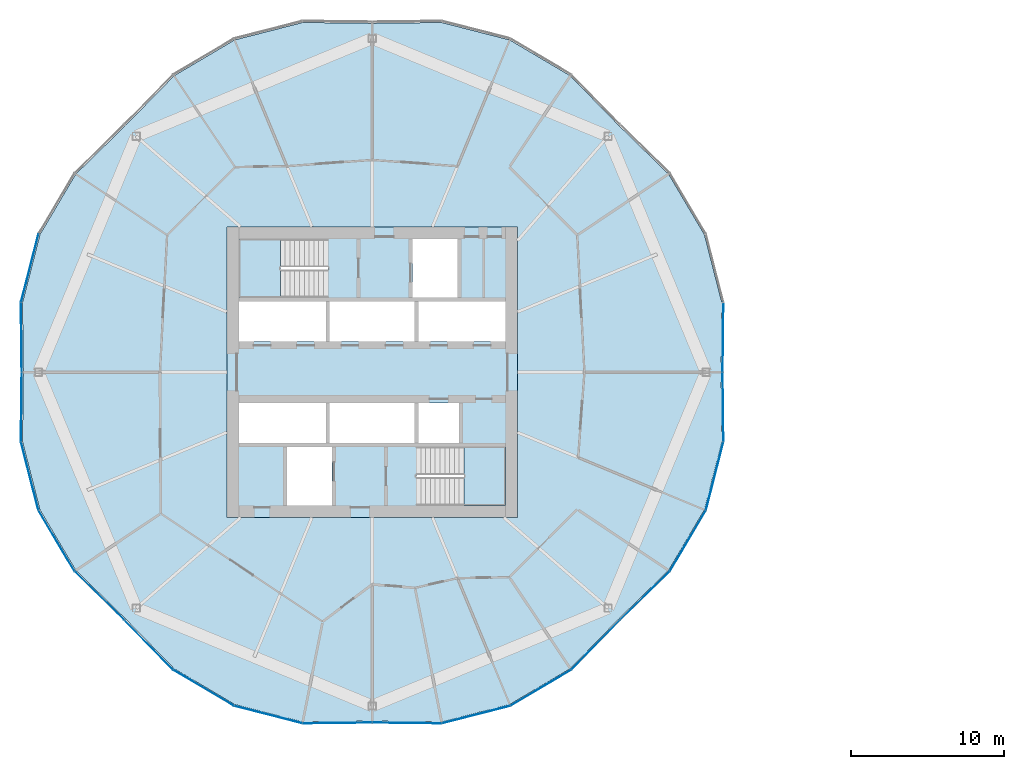
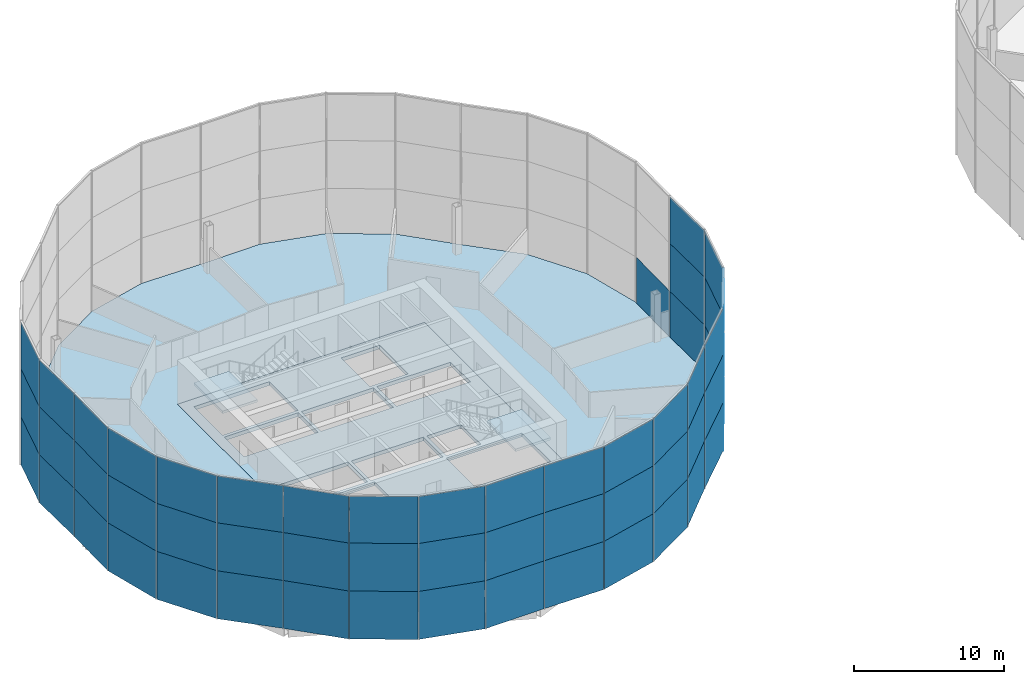
# One storey, part 16 of 25: 55 plates, 4 slabs, 8 elements without a shape of their own.
"""IFC4 building model written with IfcOpenShell, lengths in metres."""

from ifc_helpers import new_model, si_unit, direction, frame, origin, origin_2d, place, context, subcontext, project, spatial, polyline, rectangle, outline, extrude, material, layer, layer_set, type_object, element, aggregate, save


model = new_model("IFC4")

# Units and contexts
model_context = context("Model", 3, precision=1e-05, world=origin(), true_north=direction((0.0, 1.0)))
body_context = subcontext(model_context, "Body", "Model", "MODEL_VIEW")
ifc_project = project(units=[si_unit("LENGTHUNIT", "METRE"), si_unit("AREAUNIT", "SQUARE_METRE"), si_unit("VOLUMEUNIT", "CUBIC_METRE"), si_unit("PLANEANGLEUNIT", "RADIAN"), si_unit("MASSUNIT", "GRAM", prefix="KILO")], contexts=[model_context])

# Site, building, storey
site_placement = place(None, origin())
site = spatial("IfcSite", under=ifc_project, at=site_placement, CompositionType="ELEMENT")
building_placement = place(site_placement, origin())
building = spatial("IfcBuilding", under=site, at=building_placement, Name="Ogive Gate Towers", CompositionType="ELEMENT")
storey_placement = place(building_placement, frame((0.0, 0.0, 44.10009765625)))
storey = spatial("IfcBuildingStorey", under=building, at=storey_placement, Name="L09", CompositionType="ELEMENT", Elevation=44.10009765625)

# Slabs
ifc_material_1 = material(Name="Concrete C40/50", Category="concrete")
ifc_layer_1 = layer(ifc_material_1, 0.300048828125)
ifc_layer_set_1 = layer_set([ifc_layer_1], Name="Core slab C40/50 300 mm")
slab_type_1 = type_object("IfcSlabType", Name="Core slab C40/50 300 mm", PredefinedType="FLOOR", material=ifc_layer_set_1)
slab_1_placement = place(storey_placement, frame((0.0, 0.0, -0.300048828125)))
element("IfcSlab", 1, at=slab_1_placement, inside=storey, type_object=slab_type_1, Name="T1 L09 core slab", PredefinedType="FLOOR", context=body_context, shape_type="SweptSolid", body=[
    extrude(outline(polyline([(-26.5, 9.5), (-26.5, -9.5), (-45.5, -9.5), (-45.5, 9.5), (-26.5, 9.5)]), holes=[polyline([(-39.02490234375, 4.625), (-44.699951171875, 4.625), (-44.699951171875, 2.0), (-39.02490234375, 2.0), (-39.02490234375, 4.625)]), polyline([(-33.22509765625, 2.0), (-33.22509765625, 4.625), (-38.77490234375, 4.625), (-38.77490234375, 2.0), (-33.22509765625, 2.0)]), polyline([(-32.97509765625, 2.0), (-27.300048828125, 2.0), (-27.300048828125, 4.625), (-32.97509765625, 4.625), (-32.97509765625, 2.0)]), polyline([(-44.699951171875, -2.0), (-44.699951171875, -4.625), (-39.02490234375, -4.625), (-39.02490234375, -2.0), (-44.699951171875, -2.0)]), polyline([(-33.22509765625, -2.0), (-38.77490234375, -2.0), (-38.77490234375, -4.625), (-33.22509765625, -4.625), (-33.22509765625, -2.0)]), polyline([(-30.324951171875, -4.625), (-30.324951171875, -2.0), (-32.97509765625, -2.0), (-32.97509765625, -4.625), (-30.324951171875, -4.625)]), polyline([(-33.375, 4.875), (-30.425048828125, 4.875), (-30.425048828125, 8.699951171875), (-33.375, 8.699951171875), (-33.375, 4.875)]), polyline([(-41.574951171875, -4.875), (-41.574951171875, -8.699951171875), (-38.625, -8.699951171875), (-38.625, -4.875), (-41.574951171875, -4.875)]), polyline([(-44.699951171875, 4.875), (-38.885009765625, 4.875), (-38.885009765625, 8.699951171875), (-44.699951171875, 8.699951171875), (-44.699951171875, 4.875)]), polyline([(-27.300048828125, -8.699951171875), (-27.300048828125, -4.875), (-33.114990234375, -4.875), (-33.114990234375, -8.699951171875), (-27.300048828125, -8.699951171875)])]), origin(), (0.0, 0.0, 1.0), 0.300048828125),
])
ifc_material_2 = material(Name="Concrete C35/45", Category="concrete")
ifc_layer_2 = layer(ifc_material_2, 0.300048828125)
ifc_layer_set_2 = layer_set([ifc_layer_2], Name="Floor slab 300")
slab_type_2 = type_object("IfcSlabType", Name="Floor slab 300", PredefinedType="FLOOR", material=ifc_layer_set_2)
slab_2_placement = place(storey_placement, frame((0.0, 0.0, -0.300048828125)))
element("IfcSlab", 2, at=slab_2_placement, inside=storey, type_object=slab_type_2, Name="T1/L09/SSL001", PredefinedType="FLOOR", context=body_context, shape_type="SweptSolid", body=[
    extrude(outline(polyline([(-13.147705078125, -4.545654296875), (-13.199951171875, 0.0), (-13.147705078125, 4.545654296875), (-14.288818359375, 8.9931640625), (-16.626708984375, 12.94482421875), (-19.8779296875, 16.1220703125), (-23.05517578125, 19.373291015625), (-27.0068359375, 21.711181640625), (-31.454345703125, 22.852294921875), (-36.0, 22.800048828125), (-40.545654296875, 22.852294921875), (-44.9931640625, 21.711181640625), (-48.94482421875, 19.373291015625), (-52.1220703125, 16.1220703125), (-55.373291015625, 12.94482421875), (-57.711181640625, 8.9931640625), (-58.852294921875, 4.545654296875), (-58.800048828125, 0.0), (-58.852294921875, -4.545654296875), (-57.711181640625, -8.9931640625), (-55.373291015625, -12.94482421875), (-52.1220703125, -16.1220703125), (-48.94482421875, -19.373291015625), (-44.9931640625, -21.711181640625), (-40.545654296875, -22.852294921875), (-36.0, -22.800048828125), (-31.454345703125, -22.852294921875), (-27.0068359375, -21.711181640625), (-23.05517578125, -19.373291015625), (-19.8779296875, -16.1220703125), (-16.626708984375, -12.94482421875), (-14.288818359375, -8.9931640625), (-13.147705078125, -4.545654296875)]), holes=[polyline([(-26.5, -9.5), (-45.5, -9.5), (-45.5, 9.5), (-26.5, 9.5), (-26.5, -9.5)])]), origin(), (0.0, 0.0, 1.0), 0.300048828125),
])

# Stair, slab
stair_type = type_object("IfcStairType", Name="Escape stair 1840 wide", PredefinedType="HALF_TURN_STAIR", material=ifc_material_1)
stair_1_placement = place(storey_placement, origin())
stair_1 = element("IfcStair", 3, at=stair_1_placement, inside=storey, type_object=stair_type, Name="L09 Escape stair 1", PredefinedType="HALF_TURN_STAIR")
ifc_layer_3 = layer(ifc_material_1, 0.199951171875)
ifc_layer_set_3 = layer_set([ifc_layer_3], Name="Stair landing 200 mm")
slab_type_3 = type_object("IfcSlabType", Name="Stair landing 200 mm", PredefinedType="LANDING", material=ifc_layer_set_3)
slab_3_placement = place(storey_placement, frame((0.0, 0.0, 1.75)))
slab_3 = element("IfcSlab", 4, at=slab_3_placement, type_object=slab_type_3, Name="ST1 landing 1", PredefinedType="LANDING", context=body_context, shape_type="SweptSolid", body=[
    extrude(outline(polyline([(-42.00146484375, 8.699951171875), (-44.699951171875, 8.699951171875), (-44.699951171875, 4.875), (-42.00146484375, 4.875), (-42.00146484375, 8.699951171875)])), origin(), (0.0, 0.0, 1.0), 0.199951171875),
])
aggregate(stair_1, [slab_3])

stair_2_placement = place(storey_placement, origin())
stair_2 = element("IfcStair", 5, at=stair_2_placement, inside=storey, type_object=stair_type, Name="L09 Escape stair 2", PredefinedType="HALF_TURN_STAIR")
slab_4_placement = place(storey_placement, frame((0.0, 0.0, 1.75)))
slab_4 = element("IfcSlab", 6, at=slab_4_placement, type_object=slab_type_3, Name="ST2 landing 1", PredefinedType="LANDING", context=body_context, shape_type="SweptSolid", body=[
    extrude(outline(polyline([(-29.99853515625, -8.699951171875), (-27.300048828125, -8.699951171875), (-27.300048828125, -4.875), (-29.99853515625, -4.875), (-29.99853515625, -8.699951171875)])), origin(), (0.0, 0.0, 1.0), 0.199951171875),
])
aggregate(stair_2, [slab_4])

# Curtain wall, plate
ifc_material_3 = material(Name="Pale metal aluminium", Category="aluminium")
curtain_wall_type = type_object("IfcCurtainWallType", Name="Tower unitised wall, low zone", PredefinedType="NOTDEFINED", material=ifc_material_3)
curtain_wall_1_placement = place(storey_placement, origin())
curtain_wall_1 = element("IfcCurtainWall", 7, at=curtain_wall_1_placement, inside=storey, type_object=curtain_wall_type, Name="CW1 T1 ECW01", PredefinedType="NOTDEFINED")
ifc_material_4 = material(Name="Clear glass", Category="glass")
ifc_layer_4 = layer(ifc_material_4, 0.028076171875)
ifc_layer_set_4 = layer_set([ifc_layer_4], Name="Tower unitised wall, low zone glass panel")
plate_type = type_object("IfcPlateType", Name="Tower unitised wall, low zone glass panel", PredefinedType="CURTAIN_PANEL", material=ifc_layer_set_4)
plate_1_placement = place(storey_placement, frame((-13.07373046875, 2.27685546875, -0.300048828125), z_axis=(0.0, 0.0, 1.0), x_axis=(0.011501466179, 0.99993385595, 0.0)))
plate_1 = element("IfcPlate", 8, at=plate_1_placement, type_object=plate_type, Name="CW1 glass panel", PredefinedType="CURTAIN_PANEL", context=body_context, shape_type="SweptSolid", body=[
    extrude(rectangle(XDim=4.500244140625, YDim=0.028076171875, at=origin_2d()), origin(), (0.0, 0.0, 1.0), 3.89990234375),
])
aggregate(curtain_wall_1, [plate_1])

# Curtain wall, plates
curtain_wall_2_placement = place(storey_placement, origin())
curtain_wall_2 = element("IfcCurtainWall", 9, at=curtain_wall_2_placement, inside=storey, type_object=curtain_wall_type, Name="CW1 T1 ECW04", PredefinedType="NOTDEFINED")
plate_2_placement = place(storey_placement, frame((-58.37841796875, 6.794677734375, -0.300048828125), z_axis=(0.0, 0.0, 1.0), x_axis=(-0.248520833726, -0.96862655095, 0.0)))
plate_2 = element("IfcPlate", 10, at=plate_2_placement, type_object=plate_type, Name="CW1 glass panel", PredefinedType="CURTAIN_PANEL", context=body_context, shape_type="SweptSolid", body=[
    extrude(rectangle(XDim=4.55712890625, YDim=0.028076171875, at=origin_2d()), origin(), (0.0, 0.0, 1.0), 3.89990234375),
])
plate_3_placement = place(storey_placement, frame((-58.37841796875, 6.794677734375, 3.599853515625), z_axis=(0.0, 0.0, 1.0), x_axis=(-0.248520833726, -0.96862655095, 0.0)))
plate_3 = element("IfcPlate", 11, at=plate_3_placement, type_object=plate_type, Name="CW1 glass panel", PredefinedType="CURTAIN_PANEL", context=body_context, shape_type="SweptSolid", body=[
    extrude(rectangle(XDim=4.55712890625, YDim=0.028076171875, at=origin_2d()), origin(), (0.0, 0.0, 1.0), 3.89990234375),
])
plate_4_placement = place(storey_placement, frame((-58.37841796875, 6.794677734375, 7.5), z_axis=(0.0, 0.0, 1.0), x_axis=(-0.248520833726, -0.96862655095, 0.0)))
plate_4 = element("IfcPlate", 12, at=plate_4_placement, type_object=plate_type, Name="CW1 glass panel", PredefinedType="CURTAIN_PANEL", context=body_context, shape_type="SweptSolid", body=[
    extrude(rectangle(XDim=4.55712890625, YDim=0.028076171875, at=origin_2d()), origin(), (0.0, 0.0, 1.0), 3.803955078125),
])
plate_5_placement = place(storey_placement, frame((-58.92626953125, 2.27685546875, -0.300048828125), z_axis=(0.0, 0.0, 1.0), x_axis=(0.011501466179, -0.99993385595, 0.0)))
plate_5 = element("IfcPlate", 13, at=plate_5_placement, type_object=plate_type, Name="CW1 glass panel", PredefinedType="CURTAIN_PANEL", context=body_context, shape_type="SweptSolid", body=[
    extrude(rectangle(XDim=4.500244140625, YDim=0.028076171875, at=origin_2d()), origin(), (0.0, 0.0, 1.0), 3.89990234375),
])
plate_6_placement = place(storey_placement, frame((-58.92626953125, 2.27685546875, 3.599853515625), z_axis=(0.0, 0.0, 1.0), x_axis=(0.011501466179, -0.99993385595, 0.0)))
plate_6 = element("IfcPlate", 14, at=plate_6_placement, type_object=plate_type, Name="CW1 glass panel", PredefinedType="CURTAIN_PANEL", context=body_context, shape_type="SweptSolid", body=[
    extrude(rectangle(XDim=4.500244140625, YDim=0.028076171875, at=origin_2d()), origin(), (0.0, 0.0, 1.0), 3.89990234375),
])
plate_7_placement = place(storey_placement, frame((-58.92626953125, 2.27685546875, 7.5), z_axis=(0.0, 0.0, 1.0), x_axis=(0.011501466179, -0.99993385595, 0.0)))
plate_7 = element("IfcPlate", 15, at=plate_7_placement, type_object=plate_type, Name="CW1 glass panel", PredefinedType="CURTAIN_PANEL", context=body_context, shape_type="SweptSolid", body=[
    extrude(rectangle(XDim=4.500244140625, YDim=0.028076171875, at=origin_2d()), origin(), (0.0, 0.0, 1.0), 3.803955078125),
])
aggregate(curtain_wall_2, [plate_2, plate_3, plate_4, plate_5, plate_6, plate_7])

curtain_wall_3_placement = place(storey_placement, origin())
curtain_wall_3 = element("IfcCurtainWall", 16, at=curtain_wall_3_placement, inside=storey, type_object=curtain_wall_type, Name="CW1 T1 ECW05", PredefinedType="NOTDEFINED")
plate_8_placement = place(storey_placement, frame((-58.92626953125, -2.27685546875, -0.300048828125), z_axis=(0.0, 0.0, 1.0), x_axis=(-0.011501466179, -0.99993385595, 0.0)))
plate_8 = element("IfcPlate", 17, at=plate_8_placement, type_object=plate_type, Name="CW1 glass panel", PredefinedType="CURTAIN_PANEL", context=body_context, shape_type="SweptSolid", body=[
    extrude(rectangle(XDim=4.500244140625, YDim=0.028076171875, at=origin_2d()), origin(), (0.0, 0.0, 1.0), 3.89990234375),
])
plate_9_placement = place(storey_placement, frame((-58.92626953125, -2.27685546875, 3.599853515625), z_axis=(0.0, 0.0, 1.0), x_axis=(-0.011501466179, -0.99993385595, 0.0)))
plate_9 = element("IfcPlate", 18, at=plate_9_placement, type_object=plate_type, Name="CW1 glass panel", PredefinedType="CURTAIN_PANEL", context=body_context, shape_type="SweptSolid", body=[
    extrude(rectangle(XDim=4.500244140625, YDim=0.028076171875, at=origin_2d()), origin(), (0.0, 0.0, 1.0), 3.89990234375),
])
plate_10_placement = place(storey_placement, frame((-58.92626953125, -2.27685546875, 7.5), z_axis=(0.0, 0.0, 1.0), x_axis=(-0.011501466179, -0.99993385595, 0.0)))
plate_10 = element("IfcPlate", 19, at=plate_10_placement, type_object=plate_type, Name="CW1 glass panel", PredefinedType="CURTAIN_PANEL", context=body_context, shape_type="SweptSolid", body=[
    extrude(rectangle(XDim=4.500244140625, YDim=0.028076171875, at=origin_2d()), origin(), (0.0, 0.0, 1.0), 3.803955078125),
])
plate_11_placement = place(storey_placement, frame((-58.37841796875, -6.794677734375, -0.300048828125), z_axis=(0.0, 0.0, 1.0), x_axis=(0.248520833726, -0.96862655095, 0.0)))
plate_11 = element("IfcPlate", 20, at=plate_11_placement, type_object=plate_type, Name="CW1 glass panel", PredefinedType="CURTAIN_PANEL", context=body_context, shape_type="SweptSolid", body=[
    extrude(rectangle(XDim=4.55712890625, YDim=0.028076171875, at=origin_2d()), origin(), (0.0, 0.0, 1.0), 3.89990234375),
])
plate_12_placement = place(storey_placement, frame((-58.37841796875, -6.794677734375, 3.599853515625), z_axis=(0.0, 0.0, 1.0), x_axis=(0.248520833726, -0.96862655095, 0.0)))
plate_12 = element("IfcPlate", 21, at=plate_12_placement, type_object=plate_type, Name="CW1 glass panel", PredefinedType="CURTAIN_PANEL", context=body_context, shape_type="SweptSolid", body=[
    extrude(rectangle(XDim=4.55712890625, YDim=0.028076171875, at=origin_2d()), origin(), (0.0, 0.0, 1.0), 3.89990234375),
])
plate_13_placement = place(storey_placement, frame((-58.37841796875, -6.794677734375, 7.5), z_axis=(0.0, 0.0, 1.0), x_axis=(0.248520833726, -0.96862655095, 0.0)))
plate_13 = element("IfcPlate", 22, at=plate_13_placement, type_object=plate_type, Name="CW1 glass panel", PredefinedType="CURTAIN_PANEL", context=body_context, shape_type="SweptSolid", body=[
    extrude(rectangle(XDim=4.55712890625, YDim=0.028076171875, at=origin_2d()), origin(), (0.0, 0.0, 1.0), 3.803955078125),
])
plate_14_placement = place(storey_placement, frame((-56.62841796875, -11.01953125, -0.300048828125), z_axis=(0.0, 0.0, 1.0), x_axis=(0.509176614511, -0.860662056347, 0.0)))
plate_14 = element("IfcPlate", 23, at=plate_14_placement, type_object=plate_type, Name="CW1 glass panel", PredefinedType="CURTAIN_PANEL", context=body_context, shape_type="SweptSolid", body=[
    extrude(rectangle(XDim=4.55712890625, YDim=0.028076171875, at=origin_2d()), origin(), (0.0, 0.0, 1.0), 3.89990234375),
])
plate_15_placement = place(storey_placement, frame((-56.62841796875, -11.01953125, 3.599853515625), z_axis=(0.0, 0.0, 1.0), x_axis=(0.509176614511, -0.860662056347, 0.0)))
plate_15 = element("IfcPlate", 24, at=plate_15_placement, type_object=plate_type, Name="CW1 glass panel", PredefinedType="CURTAIN_PANEL", context=body_context, shape_type="SweptSolid", body=[
    extrude(rectangle(XDim=4.55712890625, YDim=0.028076171875, at=origin_2d()), origin(), (0.0, 0.0, 1.0), 3.89990234375),
])
plate_16_placement = place(storey_placement, frame((-56.62841796875, -11.01953125, 7.5), z_axis=(0.0, 0.0, 1.0), x_axis=(0.509176614511, -0.860662056347, 0.0)))
plate_16 = element("IfcPlate", 25, at=plate_16_placement, type_object=plate_type, Name="CW1 glass panel", PredefinedType="CURTAIN_PANEL", context=body_context, shape_type="SweptSolid", body=[
    extrude(rectangle(XDim=4.55712890625, YDim=0.028076171875, at=origin_2d()), origin(), (0.0, 0.0, 1.0), 3.803955078125),
])
plate_17_placement = place(storey_placement, frame((-53.8212890625, -14.601318359375, -0.300048828125), z_axis=(0.0, 0.0, 1.0), x_axis=(0.715204973482, -0.698914762976, 0.0)))
plate_17 = element("IfcPlate", 26, at=plate_17_placement, type_object=plate_type, Name="CW1 glass panel", PredefinedType="CURTAIN_PANEL", context=body_context, shape_type="SweptSolid", body=[
    extrude(rectangle(XDim=4.5, YDim=0.028076171875, at=origin_2d()), origin(), (0.0, 0.0, 1.0), 3.89990234375),
])
plate_18_placement = place(storey_placement, frame((-53.8212890625, -14.601318359375, 3.599853515625), z_axis=(0.0, 0.0, 1.0), x_axis=(0.715204973482, -0.698914762976, 0.0)))
plate_18 = element("IfcPlate", 27, at=plate_18_placement, type_object=plate_type, Name="CW1 glass panel", PredefinedType="CURTAIN_PANEL", context=body_context, shape_type="SweptSolid", body=[
    extrude(rectangle(XDim=4.5, YDim=0.028076171875, at=origin_2d()), origin(), (0.0, 0.0, 1.0), 3.89990234375),
])
plate_19_placement = place(storey_placement, frame((-53.8212890625, -14.601318359375, 7.5), z_axis=(0.0, 0.0, 1.0), x_axis=(0.715204973482, -0.698914762976, 0.0)))
plate_19 = element("IfcPlate", 28, at=plate_19_placement, type_object=plate_type, Name="CW1 glass panel", PredefinedType="CURTAIN_PANEL", context=body_context, shape_type="SweptSolid", body=[
    extrude(rectangle(XDim=4.5, YDim=0.028076171875, at=origin_2d()), origin(), (0.0, 0.0, 1.0), 3.803955078125),
])
aggregate(curtain_wall_3, [plate_8, plate_9, plate_10, plate_11, plate_12, plate_13, plate_14, plate_15, plate_16, plate_17, plate_18, plate_19])

curtain_wall_4_placement = place(storey_placement, origin())
curtain_wall_4 = element("IfcCurtainWall", 29, at=curtain_wall_4_placement, inside=storey, type_object=curtain_wall_type, Name="CW1 T1 ECW06", PredefinedType="NOTDEFINED")
plate_20_placement = place(storey_placement, frame((-50.601318359375, -17.8212890625, -0.300048828125), z_axis=(0.0, 0.0, 1.0), x_axis=(0.698914762976, -0.715204973482, 0.0)))
plate_20 = element("IfcPlate", 30, at=plate_20_placement, type_object=plate_type, Name="CW1 glass panel", PredefinedType="CURTAIN_PANEL", context=body_context, shape_type="SweptSolid", body=[
    extrude(rectangle(XDim=4.5, YDim=0.028076171875, at=origin_2d()), origin(), (0.0, 0.0, 1.0), 3.89990234375),
])
plate_21_placement = place(storey_placement, frame((-50.601318359375, -17.8212890625, 3.599853515625), z_axis=(0.0, 0.0, 1.0), x_axis=(0.698914762976, -0.715204973482, 0.0)))
plate_21 = element("IfcPlate", 31, at=plate_21_placement, type_object=plate_type, Name="CW1 glass panel", PredefinedType="CURTAIN_PANEL", context=body_context, shape_type="SweptSolid", body=[
    extrude(rectangle(XDim=4.5, YDim=0.028076171875, at=origin_2d()), origin(), (0.0, 0.0, 1.0), 3.89990234375),
])
plate_22_placement = place(storey_placement, frame((-50.601318359375, -17.8212890625, 7.5), z_axis=(0.0, 0.0, 1.0), x_axis=(0.698914762976, -0.715204973482, 0.0)))
plate_22 = element("IfcPlate", 32, at=plate_22_placement, type_object=plate_type, Name="CW1 glass panel", PredefinedType="CURTAIN_PANEL", context=body_context, shape_type="SweptSolid", body=[
    extrude(rectangle(XDim=4.5, YDim=0.028076171875, at=origin_2d()), origin(), (0.0, 0.0, 1.0), 3.803955078125),
])
plate_23_placement = place(storey_placement, frame((-47.01953125, -20.62841796875, -0.300048828125), z_axis=(0.0, 0.0, 1.0), x_axis=(0.860662056347, -0.509176614511, 0.0)))
plate_23 = element("IfcPlate", 33, at=plate_23_placement, type_object=plate_type, Name="CW1 glass panel", PredefinedType="CURTAIN_PANEL", context=body_context, shape_type="SweptSolid", body=[
    extrude(rectangle(XDim=4.55712890625, YDim=0.028076171875, at=origin_2d()), origin(), (0.0, 0.0, 1.0), 3.89990234375),
])
plate_24_placement = place(storey_placement, frame((-47.01953125, -20.62841796875, 3.599853515625), z_axis=(0.0, 0.0, 1.0), x_axis=(0.860662056347, -0.509176614511, 0.0)))
plate_24 = element("IfcPlate", 34, at=plate_24_placement, type_object=plate_type, Name="CW1 glass panel", PredefinedType="CURTAIN_PANEL", context=body_context, shape_type="SweptSolid", body=[
    extrude(rectangle(XDim=4.55712890625, YDim=0.028076171875, at=origin_2d()), origin(), (0.0, 0.0, 1.0), 3.89990234375),
])
plate_25_placement = place(storey_placement, frame((-47.01953125, -20.62841796875, 7.5), z_axis=(0.0, 0.0, 1.0), x_axis=(0.860662056347, -0.509176614511, 0.0)))
plate_25 = element("IfcPlate", 35, at=plate_25_placement, type_object=plate_type, Name="CW1 glass panel", PredefinedType="CURTAIN_PANEL", context=body_context, shape_type="SweptSolid", body=[
    extrude(rectangle(XDim=4.55712890625, YDim=0.028076171875, at=origin_2d()), origin(), (0.0, 0.0, 1.0), 3.803955078125),
])
plate_26_placement = place(storey_placement, frame((-42.794677734375, -22.37841796875, -0.300048828125), z_axis=(0.0, 0.0, 1.0), x_axis=(0.96862655095, -0.248520833726, 0.0)))
plate_26 = element("IfcPlate", 36, at=plate_26_placement, type_object=plate_type, Name="CW1 glass panel", PredefinedType="CURTAIN_PANEL", context=body_context, shape_type="SweptSolid", body=[
    extrude(rectangle(XDim=4.55712890625, YDim=0.028076171875, at=origin_2d()), origin(), (0.0, 0.0, 1.0), 3.89990234375),
])
plate_27_placement = place(storey_placement, frame((-42.794677734375, -22.37841796875, 3.599853515625), z_axis=(0.0, 0.0, 1.0), x_axis=(0.96862655095, -0.248520833726, 0.0)))
plate_27 = element("IfcPlate", 37, at=plate_27_placement, type_object=plate_type, Name="CW1 glass panel", PredefinedType="CURTAIN_PANEL", context=body_context, shape_type="SweptSolid", body=[
    extrude(rectangle(XDim=4.55712890625, YDim=0.028076171875, at=origin_2d()), origin(), (0.0, 0.0, 1.0), 3.89990234375),
])
plate_28_placement = place(storey_placement, frame((-42.794677734375, -22.37841796875, 7.5), z_axis=(0.0, 0.0, 1.0), x_axis=(0.96862655095, -0.248520833726, 0.0)))
plate_28 = element("IfcPlate", 38, at=plate_28_placement, type_object=plate_type, Name="CW1 glass panel", PredefinedType="CURTAIN_PANEL", context=body_context, shape_type="SweptSolid", body=[
    extrude(rectangle(XDim=4.55712890625, YDim=0.028076171875, at=origin_2d()), origin(), (0.0, 0.0, 1.0), 3.803955078125),
])
plate_29_placement = place(storey_placement, frame((-38.27685546875, -22.92626953125, -0.300048828125), z_axis=(0.0, 0.0, 1.0), x_axis=(0.99993385595, 0.011501466179, 0.0)))
plate_29 = element("IfcPlate", 39, at=plate_29_placement, type_object=plate_type, Name="CW1 glass panel", PredefinedType="CURTAIN_PANEL", context=body_context, shape_type="SweptSolid", body=[
    extrude(rectangle(XDim=4.500244140625, YDim=0.028076171875, at=origin_2d()), origin(), (0.0, 0.0, 1.0), 3.89990234375),
])
plate_30_placement = place(storey_placement, frame((-38.27685546875, -22.92626953125, 3.599853515625), z_axis=(0.0, 0.0, 1.0), x_axis=(0.99993385595, 0.011501466179, 0.0)))
plate_30 = element("IfcPlate", 40, at=plate_30_placement, type_object=plate_type, Name="CW1 glass panel", PredefinedType="CURTAIN_PANEL", context=body_context, shape_type="SweptSolid", body=[
    extrude(rectangle(XDim=4.500244140625, YDim=0.028076171875, at=origin_2d()), origin(), (0.0, 0.0, 1.0), 3.89990234375),
])
plate_31_placement = place(storey_placement, frame((-38.27685546875, -22.92626953125, 7.5), z_axis=(0.0, 0.0, 1.0), x_axis=(0.99993385595, 0.011501466179, 0.0)))
plate_31 = element("IfcPlate", 41, at=plate_31_placement, type_object=plate_type, Name="CW1 glass panel", PredefinedType="CURTAIN_PANEL", context=body_context, shape_type="SweptSolid", body=[
    extrude(rectangle(XDim=4.500244140625, YDim=0.028076171875, at=origin_2d()), origin(), (0.0, 0.0, 1.0), 3.803955078125),
])
aggregate(curtain_wall_4, [plate_20, plate_21, plate_22, plate_23, plate_24, plate_25, plate_26, plate_27, plate_28, plate_29, plate_30, plate_31])

curtain_wall_5_placement = place(storey_placement, origin())
curtain_wall_5 = element("IfcCurtainWall", 42, at=curtain_wall_5_placement, inside=storey, type_object=curtain_wall_type, Name="CW1 T1 ECW07", PredefinedType="NOTDEFINED")
plate_32_placement = place(storey_placement, frame((-33.72314453125, -22.92626953125, -0.300048828125), z_axis=(0.0, 0.0, 1.0), x_axis=(0.99993385595, -0.011501466179, 0.0)))
plate_32 = element("IfcPlate", 43, at=plate_32_placement, type_object=plate_type, Name="CW1 glass panel", PredefinedType="CURTAIN_PANEL", context=body_context, shape_type="SweptSolid", body=[
    extrude(rectangle(XDim=4.500244140625, YDim=0.028076171875, at=origin_2d()), origin(), (0.0, 0.0, 1.0), 3.89990234375),
])
plate_33_placement = place(storey_placement, frame((-33.72314453125, -22.92626953125, 3.599853515625), z_axis=(0.0, 0.0, 1.0), x_axis=(0.99993385595, -0.011501466179, 0.0)))
plate_33 = element("IfcPlate", 44, at=plate_33_placement, type_object=plate_type, Name="CW1 glass panel", PredefinedType="CURTAIN_PANEL", context=body_context, shape_type="SweptSolid", body=[
    extrude(rectangle(XDim=4.500244140625, YDim=0.028076171875, at=origin_2d()), origin(), (0.0, 0.0, 1.0), 3.89990234375),
])
plate_34_placement = place(storey_placement, frame((-33.72314453125, -22.92626953125, 7.5), z_axis=(0.0, 0.0, 1.0), x_axis=(0.99993385595, -0.011501466179, 0.0)))
plate_34 = element("IfcPlate", 45, at=plate_34_placement, type_object=plate_type, Name="CW1 glass panel", PredefinedType="CURTAIN_PANEL", context=body_context, shape_type="SweptSolid", body=[
    extrude(rectangle(XDim=4.500244140625, YDim=0.028076171875, at=origin_2d()), origin(), (0.0, 0.0, 1.0), 3.803955078125),
])
plate_35_placement = place(storey_placement, frame((-29.205322265625, -22.37841796875, -0.300048828125), z_axis=(0.0, 0.0, 1.0), x_axis=(0.96862655095, 0.248520833726, 0.0)))
plate_35 = element("IfcPlate", 46, at=plate_35_placement, type_object=plate_type, Name="CW1 glass panel", PredefinedType="CURTAIN_PANEL", context=body_context, shape_type="SweptSolid", body=[
    extrude(rectangle(XDim=4.55712890625, YDim=0.028076171875, at=origin_2d()), origin(), (0.0, 0.0, 1.0), 3.89990234375),
])
plate_36_placement = place(storey_placement, frame((-29.205322265625, -22.37841796875, 3.599853515625), z_axis=(0.0, 0.0, 1.0), x_axis=(0.96862655095, 0.248520833726, 0.0)))
plate_36 = element("IfcPlate", 47, at=plate_36_placement, type_object=plate_type, Name="CW1 glass panel", PredefinedType="CURTAIN_PANEL", context=body_context, shape_type="SweptSolid", body=[
    extrude(rectangle(XDim=4.55712890625, YDim=0.028076171875, at=origin_2d()), origin(), (0.0, 0.0, 1.0), 3.89990234375),
])
plate_37_placement = place(storey_placement, frame((-29.205322265625, -22.37841796875, 7.5), z_axis=(0.0, 0.0, 1.0), x_axis=(0.96862655095, 0.248520833726, 0.0)))
plate_37 = element("IfcPlate", 48, at=plate_37_placement, type_object=plate_type, Name="CW1 glass panel", PredefinedType="CURTAIN_PANEL", context=body_context, shape_type="SweptSolid", body=[
    extrude(rectangle(XDim=4.55712890625, YDim=0.028076171875, at=origin_2d()), origin(), (0.0, 0.0, 1.0), 3.803955078125),
])
plate_38_placement = place(storey_placement, frame((-24.98046875, -20.62841796875, -0.300048828125), z_axis=(0.0, 0.0, 1.0), x_axis=(0.860662056347, 0.509176614511, 0.0)))
plate_38 = element("IfcPlate", 49, at=plate_38_placement, type_object=plate_type, Name="CW1 glass panel", PredefinedType="CURTAIN_PANEL", context=body_context, shape_type="SweptSolid", body=[
    extrude(rectangle(XDim=4.55712890625, YDim=0.028076171875, at=origin_2d()), origin(), (0.0, 0.0, 1.0), 3.89990234375),
])
plate_39_placement = place(storey_placement, frame((-24.98046875, -20.62841796875, 3.599853515625), z_axis=(0.0, 0.0, 1.0), x_axis=(0.860662056347, 0.509176614511, 0.0)))
plate_39 = element("IfcPlate", 50, at=plate_39_placement, type_object=plate_type, Name="CW1 glass panel", PredefinedType="CURTAIN_PANEL", context=body_context, shape_type="SweptSolid", body=[
    extrude(rectangle(XDim=4.55712890625, YDim=0.028076171875, at=origin_2d()), origin(), (0.0, 0.0, 1.0), 3.89990234375),
])
plate_40_placement = place(storey_placement, frame((-24.98046875, -20.62841796875, 7.5), z_axis=(0.0, 0.0, 1.0), x_axis=(0.860662056347, 0.509176614511, 0.0)))
plate_40 = element("IfcPlate", 51, at=plate_40_placement, type_object=plate_type, Name="CW1 glass panel", PredefinedType="CURTAIN_PANEL", context=body_context, shape_type="SweptSolid", body=[
    extrude(rectangle(XDim=4.55712890625, YDim=0.028076171875, at=origin_2d()), origin(), (0.0, 0.0, 1.0), 3.803955078125),
])
plate_41_placement = place(storey_placement, frame((-21.398681640625, -17.8212890625, -0.300048828125), z_axis=(0.0, 0.0, 1.0), x_axis=(0.698914762976, 0.715204973482, 0.0)))
plate_41 = element("IfcPlate", 52, at=plate_41_placement, type_object=plate_type, Name="CW1 glass panel", PredefinedType="CURTAIN_PANEL", context=body_context, shape_type="SweptSolid", body=[
    extrude(rectangle(XDim=4.5, YDim=0.028076171875, at=origin_2d()), origin(), (0.0, 0.0, 1.0), 3.89990234375),
])
plate_42_placement = place(storey_placement, frame((-21.398681640625, -17.8212890625, 3.599853515625), z_axis=(0.0, 0.0, 1.0), x_axis=(0.698914762976, 0.715204973482, 0.0)))
plate_42 = element("IfcPlate", 53, at=plate_42_placement, type_object=plate_type, Name="CW1 glass panel", PredefinedType="CURTAIN_PANEL", context=body_context, shape_type="SweptSolid", body=[
    extrude(rectangle(XDim=4.5, YDim=0.028076171875, at=origin_2d()), origin(), (0.0, 0.0, 1.0), 3.89990234375),
])
plate_43_placement = place(storey_placement, frame((-21.398681640625, -17.8212890625, 7.5), z_axis=(0.0, 0.0, 1.0), x_axis=(0.698914762976, 0.715204973482, 0.0)))
plate_43 = element("IfcPlate", 54, at=plate_43_placement, type_object=plate_type, Name="CW1 glass panel", PredefinedType="CURTAIN_PANEL", context=body_context, shape_type="SweptSolid", body=[
    extrude(rectangle(XDim=4.5, YDim=0.028076171875, at=origin_2d()), origin(), (0.0, 0.0, 1.0), 3.803955078125),
])
aggregate(curtain_wall_5, [plate_32, plate_33, plate_34, plate_35, plate_36, plate_37, plate_38, plate_39, plate_40, plate_41, plate_42, plate_43])

curtain_wall_6_placement = place(storey_placement, origin())
curtain_wall_6 = element("IfcCurtainWall", 55, at=curtain_wall_6_placement, inside=storey, type_object=curtain_wall_type, Name="CW1 T1 ECW08", PredefinedType="NOTDEFINED")
plate_44_placement = place(storey_placement, frame((-18.1787109375, -14.601318359375, -0.300048828125), z_axis=(0.0, 0.0, 1.0), x_axis=(0.715204973482, 0.698914762976, 0.0)))
plate_44 = element("IfcPlate", 56, at=plate_44_placement, type_object=plate_type, Name="CW1 glass panel", PredefinedType="CURTAIN_PANEL", context=body_context, shape_type="SweptSolid", body=[
    extrude(rectangle(XDim=4.5, YDim=0.028076171875, at=origin_2d()), origin(), (0.0, 0.0, 1.0), 3.89990234375),
])
plate_45_placement = place(storey_placement, frame((-18.1787109375, -14.601318359375, 3.599853515625), z_axis=(0.0, 0.0, 1.0), x_axis=(0.715204973482, 0.698914762976, 0.0)))
plate_45 = element("IfcPlate", 57, at=plate_45_placement, type_object=plate_type, Name="CW1 glass panel", PredefinedType="CURTAIN_PANEL", context=body_context, shape_type="SweptSolid", body=[
    extrude(rectangle(XDim=4.5, YDim=0.028076171875, at=origin_2d()), origin(), (0.0, 0.0, 1.0), 3.89990234375),
])
plate_46_placement = place(storey_placement, frame((-18.1787109375, -14.601318359375, 7.5), z_axis=(0.0, 0.0, 1.0), x_axis=(0.715204973482, 0.698914762976, 0.0)))
plate_46 = element("IfcPlate", 58, at=plate_46_placement, type_object=plate_type, Name="CW1 glass panel", PredefinedType="CURTAIN_PANEL", context=body_context, shape_type="SweptSolid", body=[
    extrude(rectangle(XDim=4.5, YDim=0.028076171875, at=origin_2d()), origin(), (0.0, 0.0, 1.0), 3.803955078125),
])
plate_47_placement = place(storey_placement, frame((-15.37158203125, -11.01953125, -0.300048828125), z_axis=(0.0, 0.0, 1.0), x_axis=(0.509176614511, 0.860662056347, 0.0)))
plate_47 = element("IfcPlate", 59, at=plate_47_placement, type_object=plate_type, Name="CW1 glass panel", PredefinedType="CURTAIN_PANEL", context=body_context, shape_type="SweptSolid", body=[
    extrude(rectangle(XDim=4.55712890625, YDim=0.028076171875, at=origin_2d()), origin(), (0.0, 0.0, 1.0), 3.89990234375),
])
plate_48_placement = place(storey_placement, frame((-15.37158203125, -11.01953125, 3.599853515625), z_axis=(0.0, 0.0, 1.0), x_axis=(0.509176614511, 0.860662056347, 0.0)))
plate_48 = element("IfcPlate", 60, at=plate_48_placement, type_object=plate_type, Name="CW1 glass panel", PredefinedType="CURTAIN_PANEL", context=body_context, shape_type="SweptSolid", body=[
    extrude(rectangle(XDim=4.55712890625, YDim=0.028076171875, at=origin_2d()), origin(), (0.0, 0.0, 1.0), 3.89990234375),
])
plate_49_placement = place(storey_placement, frame((-15.37158203125, -11.01953125, 7.5), z_axis=(0.0, 0.0, 1.0), x_axis=(0.509176614511, 0.860662056347, 0.0)))
plate_49 = element("IfcPlate", 61, at=plate_49_placement, type_object=plate_type, Name="CW1 glass panel", PredefinedType="CURTAIN_PANEL", context=body_context, shape_type="SweptSolid", body=[
    extrude(rectangle(XDim=4.55712890625, YDim=0.028076171875, at=origin_2d()), origin(), (0.0, 0.0, 1.0), 3.803955078125),
])
plate_50_placement = place(storey_placement, frame((-13.62158203125, -6.794677734375, -0.300048828125), z_axis=(0.0, 0.0, 1.0), x_axis=(0.248520833726, 0.96862655095, 0.0)))
plate_50 = element("IfcPlate", 62, at=plate_50_placement, type_object=plate_type, Name="CW1 glass panel", PredefinedType="CURTAIN_PANEL", context=body_context, shape_type="SweptSolid", body=[
    extrude(rectangle(XDim=4.55712890625, YDim=0.028076171875, at=origin_2d()), origin(), (0.0, 0.0, 1.0), 3.89990234375),
])
plate_51_placement = place(storey_placement, frame((-13.62158203125, -6.794677734375, 3.599853515625), z_axis=(0.0, 0.0, 1.0), x_axis=(0.248520833726, 0.96862655095, 0.0)))
plate_51 = element("IfcPlate", 63, at=plate_51_placement, type_object=plate_type, Name="CW1 glass panel", PredefinedType="CURTAIN_PANEL", context=body_context, shape_type="SweptSolid", body=[
    extrude(rectangle(XDim=4.55712890625, YDim=0.028076171875, at=origin_2d()), origin(), (0.0, 0.0, 1.0), 3.89990234375),
])
plate_52_placement = place(storey_placement, frame((-13.62158203125, -6.794677734375, 7.5), z_axis=(0.0, 0.0, 1.0), x_axis=(0.248520833726, 0.96862655095, 0.0)))
plate_52 = element("IfcPlate", 64, at=plate_52_placement, type_object=plate_type, Name="CW1 glass panel", PredefinedType="CURTAIN_PANEL", context=body_context, shape_type="SweptSolid", body=[
    extrude(rectangle(XDim=4.55712890625, YDim=0.028076171875, at=origin_2d()), origin(), (0.0, 0.0, 1.0), 3.803955078125),
])
plate_53_placement = place(storey_placement, frame((-13.07373046875, -2.27685546875, -0.300048828125), z_axis=(0.0, 0.0, 1.0), x_axis=(-0.011501466179, 0.99993385595, 0.0)))
plate_53 = element("IfcPlate", 65, at=plate_53_placement, type_object=plate_type, Name="CW1 glass panel", PredefinedType="CURTAIN_PANEL", context=body_context, shape_type="SweptSolid", body=[
    extrude(rectangle(XDim=4.500244140625, YDim=0.028076171875, at=origin_2d()), origin(), (0.0, 0.0, 1.0), 3.89990234375),
])
plate_54_placement = place(storey_placement, frame((-13.07373046875, -2.27685546875, 3.599853515625), z_axis=(0.0, 0.0, 1.0), x_axis=(-0.011501466179, 0.99993385595, 0.0)))
plate_54 = element("IfcPlate", 66, at=plate_54_placement, type_object=plate_type, Name="CW1 glass panel", PredefinedType="CURTAIN_PANEL", context=body_context, shape_type="SweptSolid", body=[
    extrude(rectangle(XDim=4.500244140625, YDim=0.028076171875, at=origin_2d()), origin(), (0.0, 0.0, 1.0), 3.89990234375),
])
plate_55_placement = place(storey_placement, frame((-13.07373046875, -2.27685546875, 7.5), z_axis=(0.0, 0.0, 1.0), x_axis=(-0.011501466179, 0.99993385595, 0.0)))
plate_55 = element("IfcPlate", 67, at=plate_55_placement, type_object=plate_type, Name="CW1 glass panel", PredefinedType="CURTAIN_PANEL", context=body_context, shape_type="SweptSolid", body=[
    extrude(rectangle(XDim=4.500244140625, YDim=0.028076171875, at=origin_2d()), origin(), (0.0, 0.0, 1.0), 3.803955078125),
])
aggregate(curtain_wall_6, [plate_44, plate_45, plate_46, plate_47, plate_48, plate_49, plate_50, plate_51, plate_52, plate_53, plate_54, plate_55])

save(model, "model.ifc")
